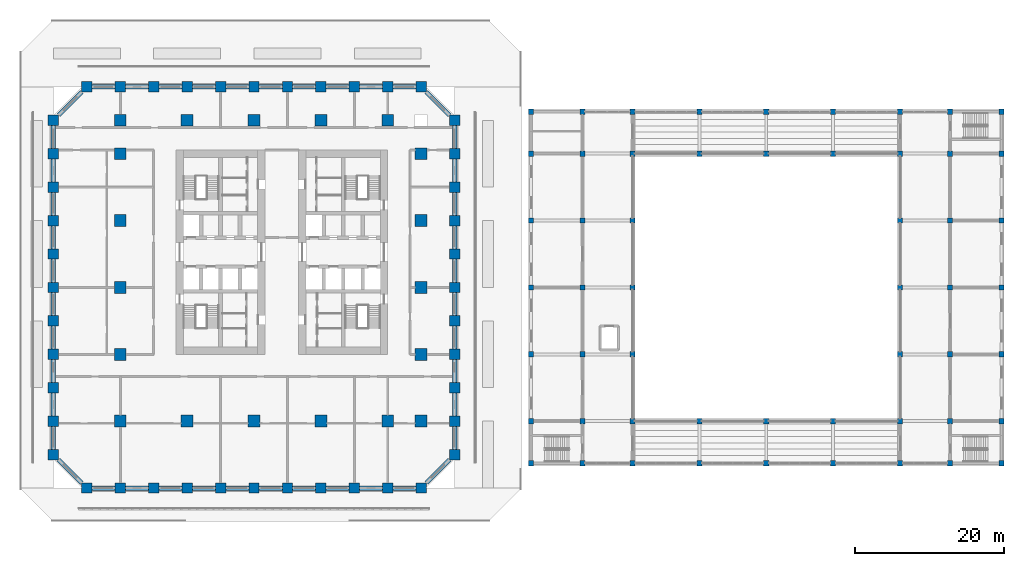
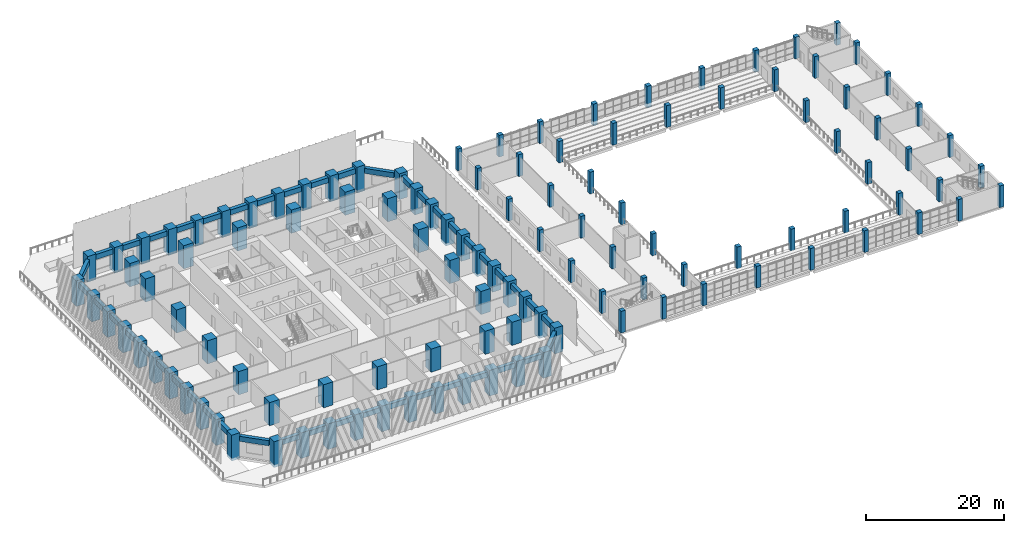
# One storey, part 1 of 36: 117 columns, 44 beams.
"""IFC4 building model written with IfcOpenShell, lengths in metres."""

import ifcopenshell
import ifcopenshell.guid

model = None  # the IFC model being written
_history = None  # IfcOwnerHistory: only IFC2X3 demands one
_inside = {}  # id of a spatial element -> (the spatial element, [elements in it])
_under = {}  # id of a project, library or spatial element -> (it, [spatial elements below it])
_declared = {}  # id of a project -> (the project, [libraries it declares])
_typed = {}  # id of a type object -> (the type object, [elements of that type])
_made_of = {}  # id of a material, layer set ... -> (it, [elements and type objects made of it])


def new_model(schema):
    """Start an empty IFC model of exactly this schema.

    Asked for "IFC4X3", IfcOpenShell would pick the latest addendum, in which some entities
    have other attributes; the version numbers below select the first issue.
    IFC2X3 requires an IfcOwnerHistory on every rooted entity: one is made here for all.
    """
    global model, _history
    if schema == "IFC4X3":
        model = ifcopenshell.file(schema_version=(4, 3, 0, 0))
    else:
        model = ifcopenshell.file(schema=schema)
    _inside.clear()
    _under.clear()
    _declared.clear()
    _typed.clear()
    _made_of.clear()
    _history = None
    if model.schema == "IFC2X3":
        org = make("IfcOrganization", Name="unknown")
        user = make(
            "IfcPersonAndOrganization",
            ThePerson=make("IfcPerson", FamilyName="unknown"),
            TheOrganization=org,
        )
        app = make(
            "IfcApplication",
            ApplicationDeveloper=org,
            Version="unknown",
            ApplicationFullName="unknown",
            ApplicationIdentifier="unknown",
        )
        _history = make(
            "IfcOwnerHistory",
            OwningUser=user,
            OwningApplication=app,
            ChangeAction="ADDED",
            CreationDate=0,
        )
    return model


def make(cls, **values):
    """One entity of the class cls with the attributes given. An attribute that is None is left unset."""
    return model.create_entity(
        cls, **{name: value for name, value in values.items() if value is not None}
    )


def rooted(cls, **values):
    """An entity with a GlobalId (a new one), such as an element, a storey or a relation."""
    return make(cls, GlobalId=ifcopenshell.guid.new(), OwnerHistory=_history, **values)


def si_unit(unit_type, name, prefix=None):
    """IfcSIUnit, for example si_unit("LENGTHUNIT", "METRE", prefix="MILLI")."""
    return make("IfcSIUnit", UnitType=unit_type, Prefix=prefix, Name=name)


def assignment(units):
    """IfcUnitAssignment: the units of a project."""
    return None if units is None else make("IfcUnitAssignment", Units=units)


def point(xyz):
    """IfcCartesianPoint."""
    return None if xyz is None else make("IfcCartesianPoint", Coordinates=xyz)


def direction(xyz):
    """IfcDirection."""
    return None if xyz is None else make("IfcDirection", DirectionRatios=xyz)


def frame(location, z_axis=None, x_axis=None):
    """IfcAxis2Placement3D, a coordinate frame: its origin and axes. An axis left out is left unset."""
    return make(
        "IfcAxis2Placement3D",
        Location=point(location),
        Axis=direction(z_axis),
        RefDirection=direction(x_axis),
    )


def frame_2d(location, x_axis=None):
    """IfcAxis2Placement2D, a coordinate frame in the plane: its origin and x axis."""
    return make(
        "IfcAxis2Placement2D", Location=point(location), RefDirection=direction(x_axis)
    )


def origin():
    """The frame at (0, 0, 0) with its axes left unset."""
    return frame((0.0, 0.0, 0.0))


def origin_2d():
    """The frame at (0, 0) in the plane with its x axis left unset."""
    return frame_2d((0.0, 0.0))


def place(relative_to, where):
    """IfcLocalPlacement: puts the frame where relative to a parent placement (None: the world)."""
    return make(
        "IfcLocalPlacement", PlacementRelTo=relative_to, RelativePlacement=where
    )


def context(
    kind, dimensions, precision=None, world=None, true_north=None, identifier=None
):
    """IfcGeometricRepresentationContext, for example the 3D "Model" context."""
    return make(
        "IfcGeometricRepresentationContext",
        ContextIdentifier=identifier,
        ContextType=kind,
        CoordinateSpaceDimension=dimensions,
        Precision=precision,
        WorldCoordinateSystem=world,
        TrueNorth=true_north,
    )


def subcontext(parent, identifier, kind, view, scale=None):
    """IfcGeometricRepresentationSubContext, for example "Body" below "Model"."""
    return make(
        "IfcGeometricRepresentationSubContext",
        ContextIdentifier=identifier,
        ContextType=kind,
        ParentContext=parent,
        TargetScale=scale,
        TargetView=view,
    )


def project(units=None, contexts=None):
    """IfcProject with its units and contexts."""
    return rooted(
        "IfcProject",
        Name="project",
        RepresentationContexts=contexts,
        UnitsInContext=assignment(units),
    )


def spatial(cls, under=None, at=None, **own):
    """A site, building, storey or space (cls), placed at a placement, below another one or the project."""
    s = rooted(cls, ObjectPlacement=at, **own)
    if under is not None:
        _under.setdefault(under.id(), (under, []))[1].append(s)
    return s


def profile(cls, at=None, kind="AREA", **sizes):
    """A parametric profile (cls). Its sizes go by their IFC names, for example OverallWidth=200.0."""
    return make(cls, ProfileType=kind, Position=at, **sizes)


def rectangle(**sizes):
    """IfcRectangleProfileDef."""
    return profile("IfcRectangleProfileDef", **sizes)


def extrude(swept, where, along, depth):
    """IfcExtrudedAreaSolid: the profile swept, set in the frame where, extruded along a direction by depth."""
    return make(
        "IfcExtrudedAreaSolid",
        SweptArea=swept,
        Position=where,
        ExtrudedDirection=direction(along),
        Depth=depth,
    )


def shape(context_of_items, identifier, shape_type, items):
    """IfcShapeRepresentation: the items that make up one representation, for example the "Body"."""
    return make(
        "IfcShapeRepresentation",
        ContextOfItems=context_of_items,
        RepresentationIdentifier=identifier,
        RepresentationType=shape_type,
        Items=items,
    )


def material(Name=None, Category=None):
    """IfcMaterial."""
    return make("IfcMaterial", Name=Name, Category=Category)


def material_profile(
    of_material, cross_section, Name=None, Category=None, Priority=None
):
    """IfcMaterialProfile: a cross section and its material."""
    return make(
        "IfcMaterialProfile",
        Name=Name,
        Material=of_material,
        Profile=cross_section,
        Priority=Priority,
        Category=Category,
    )


def profile_set(profiles, Name=None, composite=None):
    """IfcMaterialProfileSet."""
    return make(
        "IfcMaterialProfileSet",
        Name=Name,
        MaterialProfiles=profiles,
        CompositeProfile=composite,
    )


def made_of(thing, what):
    """Note that an element or type object is made of a material, layer set ...; save() writes the relation."""
    if what is not None:
        _made_of.setdefault(what.id(), (what, []))[1].append(thing)
    return thing


def type_object(cls, material=None, **own):
    """A type object (cls), such as IfcWallType, which elements share."""
    return made_of(rooted(cls, **own), material)


def element(
    cls,
    number,
    at=None,
    inside=None,
    cuts=None,
    type_object=None,
    material=None,
    context=None,
    identifier="Body",
    shape_type=None,
    held_by="IfcProductDefinitionShape",
    body=None,
    shapes=None,
    **own,
):
    """One element of the class cls, such as IfcWall. Its Tag is "e" and its number.

    at: its placement. inside: the storey or other place that contains it. cuts: it is an
    opening in that element (IfcRelVoidsElement). A single representation is given by context,
    identifier, shape_type and body (its items); several are given by shapes. held_by: the class
    of the entity that holds the representations. save() writes the other relations.
    """
    e = rooted(cls, Tag="e%d" % number, ObjectPlacement=at, **own)
    if body is not None:
        shapes = [shape(context, identifier, shape_type, body)]
    if shapes is not None:
        e.Representation = make(held_by, Representations=shapes)
    if inside is not None:
        _inside.setdefault(inside.id(), (inside, []))[1].append(e)
    if cuts is not None:
        rooted(
            "IfcRelVoidsElement", RelatingBuildingElement=cuts, RelatedOpeningElement=e
        )
    if type_object is not None:
        _typed.setdefault(type_object.id(), (type_object, []))[1].append(e)
    return made_of(e, material)


def aggregate(whole, parts):
    """IfcRelAggregates: a whole, such as a stair, and the parts it consists of."""
    return rooted("IfcRelAggregates", RelatingObject=whole, RelatedObjects=parts)


def save(model, path):
    """Write the relations noted so far, then the file.

    IfcRelAggregates (storeys below a building ...), IfcRelContainedInSpatialStructure (elements
    in a storey), IfcRelDefinesByType, IfcRelAssociatesMaterial and IfcRelDeclares: one each for
    every whole, place, type object, material and project.
    """
    for whole, parts in _under.values():
        aggregate(whole, parts)
    for where, things in _inside.values():
        rooted(
            "IfcRelContainedInSpatialStructure",
            RelatedElements=things,
            RelatingStructure=where,
        )
    for kind, things in _typed.values():
        rooted("IfcRelDefinesByType", RelatedObjects=things, RelatingType=kind)
    for what, things in _made_of.values():
        rooted("IfcRelAssociatesMaterial", RelatedObjects=things, RelatingMaterial=what)
    for by, libraries in _declared.values():
        rooted("IfcRelDeclares", RelatingContext=by, RelatedDefinitions=libraries)
    model.write(path)


model = new_model("IFC4")

# Units and contexts
model_context = context("Model", 3, precision=1e-05, world=origin(), true_north=direction((0.0, 1.0)))
body_context = subcontext(model_context, "Body", "Model", "MODEL_VIEW")
ifc_project = project(units=[si_unit("LENGTHUNIT", "METRE"), si_unit("AREAUNIT", "SQUARE_METRE"), si_unit("VOLUMEUNIT", "CUBIC_METRE"), si_unit("PLANEANGLEUNIT", "RADIAN"), si_unit("MASSUNIT", "GRAM", prefix="KILO")], contexts=[model_context])

# Site, building, storey
site_placement = place(None, origin())
site = spatial("IfcSite", under=ifc_project, at=site_placement, CompositionType="ELEMENT")
building_placement = place(site_placement, origin())
building = spatial("IfcBuilding", under=site, at=building_placement, Name="Corbel Stack Research Tower", CompositionType="ELEMENT")
storey_placement = place(building_placement, frame((0.0, 0.0, 7.199951171875)))
storey = spatial("IfcBuildingStorey", under=building, at=storey_placement, Name="L01", CompositionType="ELEMENT", Elevation=7.199951171875)

# Columns
ifc_material_1 = material(Name="Concrete C70/85", Category="concrete")
ifc_material_profile_1 = material_profile(ifc_material_1, rectangle(XDim=1.39990234375, YDim=1.39990234375, at=origin_2d()), Name="RC 1400 x 1400")
ifc_profile_set_1 = profile_set([ifc_material_profile_1], Name="Concrete C70/85")
column_type_1 = type_object("IfcColumnType", Name="C-1400-70", PredefinedType="COLUMN", material=ifc_profile_set_1)
for number, where, z_axis, x_axis, name in (
    (1, (-27.0, -22.5, -0.449951171875), (0.0, 0.0, 1.0), (1.0, 0.0, 0.0), "Column 2/C L01"),
    (2, (-27.0, -18.0, -0.449951171875), (0.0, 0.0, 1.0), (1.0, 0.0, 0.0), "Column 2/D L01"),
    (3, (-27.0, -13.5, -0.449951171875), (0.0, 0.0, 1.0), (1.0, 0.0, 0.0), "Column 2/E L01"),
    (4, (-27.0, -9.0, -0.449951171875), (0.0, 0.0, 1.0), (1.0, 0.0, 0.0), "Column 2/F L01"),
    (5, (-27.0, -4.5, -0.449951171875), (0.0, 0.0, 1.0), (1.0, 0.0, 0.0), "Column 2/G L01"),
    (6, (-27.0, 0.0, -0.449951171875), (0.0, 0.0, 1.0), (1.0, 0.0, 0.0), "Column 2/H L01"),
    (7, (-27.0, 4.5, -0.449951171875), (0.0, 0.0, 1.0), (1.0, 0.0, 0.0), "Column 2/J L01"),
    (8, (-27.0, 9.0, -0.449951171875), (0.0, 0.0, 1.0), (1.0, 0.0, 0.0), "Column 2/K L01"),
    (9, (-27.0, 13.5, -0.449951171875), (0.0, 0.0, 1.0), (1.0, 0.0, 0.0), "Column 2/L L01"),
    (10, (-27.0, 18.0, -0.449951171875), (0.0, 0.0, 1.0), (1.0, 0.0, 0.0), "Column 2/M L01"),
    (11, (-27.0, 22.5, -0.449951171875), (0.0, 0.0, 1.0), (1.0, 0.0, 0.0), "Column 2/N L01"),
    (12, (-22.5, -27.0, -0.449951171875), (0.0, 0.0, 1.0), (1.0, 0.0, 0.0), "Column 3/B L01"),
    (13, (-22.5, 27.0, -0.449951171875), (0.0, 0.0, 1.0), (1.0, 0.0, 0.0), "Column 3/P L01"),
    (14, (-18.0, -27.0, -0.449951171875), (0.0, 0.0, 1.0), (1.0, 0.0, 0.0), "Column 4/B L01"),
    (15, (-18.0, 27.0, -0.449951171875), (0.0, 0.0, 1.0), (1.0, 0.0, 0.0), "Column 4/P L01"),
    (16, (-13.5, -27.0, -0.449951171875), (0.0, 0.0, 1.0), (1.0, 0.0, 0.0), "Column 5/B L01"),
    (17, (-13.5, 27.0, -0.449951171875), (0.0, 0.0, 1.0), (1.0, 0.0, 0.0), "Column 5/P L01"),
    (18, (-9.0, -27.0, -0.449951171875), (0.0, 0.0, 1.0), (1.0, 0.0, 0.0), "Column 6/B L01"),
    (19, (-9.0, 27.0, -0.449951171875), (0.0, 0.0, 1.0), (1.0, 0.0, 0.0), "Column 6/P L01"),
    (20, (-4.5, -27.0, -0.449951171875), (0.0, 0.0, 1.0), (1.0, 0.0, 0.0), "Column 7/B L01"),
    (21, (-4.5, 27.0, -0.449951171875), (0.0, 0.0, 1.0), (1.0, 0.0, 0.0), "Column 7/P L01"),
    (22, (0.0, -27.0, -0.449951171875), (0.0, 0.0, 1.0), (1.0, 0.0, 0.0), "Column 8/B L01"),
    (23, (0.0, 27.0, -0.449951171875), (0.0, 0.0, 1.0), (1.0, 0.0, 0.0), "Column 8/P L01"),
    (24, (4.5, -27.0, -0.449951171875), (0.0, 0.0, 1.0), (1.0, 0.0, 0.0), "Column 9/B L01"),
    (25, (4.5, 27.0, -0.449951171875), (0.0, 0.0, 1.0), (1.0, 0.0, 0.0), "Column 9/P L01"),
    (26, (9.0, -27.0, -0.449951171875), (0.0, 0.0, 1.0), (1.0, 0.0, 0.0), "Column 10/B L01"),
    (27, (9.0, 27.0, -0.449951171875), (0.0, 0.0, 1.0), (1.0, 0.0, 0.0), "Column 10/P L01"),
    (28, (13.5, -27.0, -0.449951171875), (0.0, 0.0, 1.0), (1.0, 0.0, 0.0), "Column 11/B L01"),
    (29, (13.5, 27.0, -0.449951171875), (0.0, 0.0, 1.0), (1.0, 0.0, 0.0), "Column 11/P L01"),
    (30, (18.0, -27.0, -0.449951171875), (0.0, 0.0, 1.0), (1.0, 0.0, 0.0), "Column 12/B L01"),
    (31, (18.0, 27.0, -0.449951171875), (0.0, 0.0, 1.0), (1.0, 0.0, 0.0), "Column 12/P L01"),
    (32, (22.5, -27.0, -0.449951171875), (0.0, 0.0, 1.0), (1.0, 0.0, 0.0), "Column 13/B L01"),
    (33, (22.5, 27.0, -0.449951171875), (0.0, 0.0, 1.0), (1.0, 0.0, 0.0), "Column 13/P L01"),
    (34, (27.0, -22.5, -0.449951171875), (0.0, 0.0, 1.0), (1.0, 0.0, 0.0), "Column 14/C L01"),
    (35, (27.0, -18.0, -0.449951171875), (0.0, 0.0, 1.0), (1.0, 0.0, 0.0), "Column 14/D L01"),
    (36, (27.0, -13.5, -0.449951171875), (0.0, 0.0, 1.0), (1.0, 0.0, 0.0), "Column 14/E L01"),
    (37, (27.0, -9.0, -0.449951171875), (0.0, 0.0, 1.0), (1.0, 0.0, 0.0), "Column 14/F L01"),
    (38, (27.0, -4.5, -0.449951171875), (0.0, 0.0, 1.0), (1.0, 0.0, 0.0), "Column 14/G L01"),
    (39, (27.0, 0.0, -0.449951171875), (0.0, 0.0, 1.0), (1.0, 0.0, 0.0), "Column 14/H L01"),
    (40, (27.0, 4.5, -0.449951171875), (0.0, 0.0, 1.0), (1.0, 0.0, 0.0), "Column 14/J L01"),
    (41, (27.0, 9.0, -0.449951171875), (0.0, 0.0, 1.0), (1.0, 0.0, 0.0), "Column 14/K L01"),
    (42, (27.0, 13.5, -0.449951171875), (0.0, 0.0, 1.0), (1.0, 0.0, 0.0), "Column 14/L L01"),
    (43, (27.0, 18.0, -0.449951171875), (0.0, 0.0, 1.0), (1.0, 0.0, 0.0), "Column 14/M L01"),
    (44, (27.0, 22.5, -0.449951171875), (0.0, 0.0, 1.0), (1.0, 0.0, 0.0), "Column 14/N L01"),
):
    element("IfcColumn", number, at=place(storey_placement, frame(where, z_axis=z_axis, x_axis=x_axis)), inside=storey, type_object=column_type_1, Name=name, PredefinedType="COLUMN", context=body_context, shape_type="SweptSolid", body=[
        extrude(rectangle(XDim=1.39990234375, YDim=1.39990234375, at=origin_2d()), origin(), (0.0, 0.0, 1.0), 4.550048828125),
    ])
ifc_material_2 = material(Name="Concrete C70/85", Category="concrete")
ifc_material_profile_2 = material_profile(ifc_material_2, rectangle(XDim=1.60009765625, YDim=1.60009765625, at=origin_2d()), Name="RC 1600 x 1600")
ifc_profile_set_2 = profile_set([ifc_material_profile_2], Name="Concrete C70/85")
column_type_2 = type_object("IfcColumnType", Name="C-1600-70", PredefinedType="COLUMN", material=ifc_profile_set_2)
for number, where, z_axis, x_axis, name in (
    (45, (-18.0, -18.0, 0.0), (0.0, 0.0, 1.0), (1.0, 0.0, 0.0), "Column 4/D L01"),
    (46, (-18.0, -9.0, 0.0), (0.0, 0.0, 1.0), (1.0, 0.0, 0.0), "Column 4/F L01"),
    (47, (-18.0, 0.0, 0.0), (0.0, 0.0, 1.0), (1.0, 0.0, 0.0), "Column 4/H L01"),
    (48, (-18.0, 9.0, 0.0), (0.0, 0.0, 1.0), (1.0, 0.0, 0.0), "Column 4/K L01"),
    (49, (-18.0, 18.0, 0.0), (0.0, 0.0, 1.0), (1.0, 0.0, 0.0), "Column 4/M L01"),
    (50, (-18.0, 22.5, 0.0), (0.0, 0.0, 1.0), (1.0, 0.0, 0.0), "Column 4/N L01"),
    (51, (-9.0, -18.0, 0.0), (0.0, 0.0, 1.0), (1.0, 0.0, 0.0), "Column 6/D L01"),
    (52, (-9.0, 22.5, 0.0), (0.0, 0.0, 1.0), (1.0, 0.0, 0.0), "Column 6/N L01"),
    (53, (0.0, -18.0, 0.0), (0.0, 0.0, 1.0), (1.0, 0.0, 0.0), "Column 8/D L01"),
    (54, (0.0, 22.5, 0.0), (0.0, 0.0, 1.0), (1.0, 0.0, 0.0), "Column 8/N L01"),
    (55, (9.0, -18.0, 0.0), (0.0, 0.0, 1.0), (1.0, 0.0, 0.0), "Column 10/D L01"),
    (56, (9.0, 22.5, 0.0), (0.0, 0.0, 1.0), (1.0, 0.0, 0.0), "Column 10/N L01"),
    (57, (18.0, -18.0, 0.0), (0.0, 0.0, 1.0), (1.0, 0.0, 0.0), "Column 12/D L01"),
    (58, (18.0, 22.5, 0.0), (0.0, 0.0, 1.0), (1.0, 0.0, 0.0), "Column 12/N L01"),
    (59, (22.5, -18.0, 0.0), (0.0, 0.0, 1.0), (1.0, 0.0, 0.0), "Column 13/D L01"),
    (60, (22.5, -9.0, 0.0), (0.0, 0.0, 1.0), (1.0, 0.0, 0.0), "Column 13/F L01"),
    (61, (22.5, 0.0, 0.0), (0.0, 0.0, 1.0), (1.0, 0.0, 0.0), "Column 13/H L01"),
    (62, (22.5, 9.0, 0.0), (0.0, 0.0, 1.0), (1.0, 0.0, 0.0), "Column 13/K L01"),
    (63, (22.5, 18.0, 0.0), (0.0, 0.0, 1.0), (1.0, 0.0, 0.0), "Column 13/M L01"),
):
    element("IfcColumn", number, at=place(storey_placement, frame(where, z_axis=z_axis, x_axis=x_axis)), inside=storey, type_object=column_type_2, Name=name, PredefinedType="COLUMN", context=body_context, shape_type="SweptSolid", body=[
        extrude(rectangle(XDim=1.60009765625, YDim=1.60009765625, at=origin_2d()), origin(), (0.0, 0.0, 1.0), 4.10009765625),
    ])
ifc_material_3 = material(Name="Concrete C50/60", Category="concrete")
ifc_material_profile_3 = material_profile(ifc_material_3, rectangle(XDim=0.699951171875, YDim=0.699951171875, at=origin_2d()), Name="RC 700 x 700")
ifc_profile_set_3 = profile_set([ifc_material_profile_3], Name="Concrete C50/60")
column_type_3 = type_object("IfcColumnType", Name="HC1 RC column 700 x 700", PredefinedType="COLUMN", material=ifc_profile_set_3)
for number, where, z_axis, x_axis, name in (
    (64, (37.300048828125, -23.64990234375, 0.0), (0.0, 0.0, 1.0), (1.0, 0.0, 0.0), "Column H1/HA L01"),
    (65, (37.300048828125, -18.0, 0.0), (0.0, 0.0, 1.0), (1.0, 0.0, 0.0), "Column H1/HB L01"),
    (66, (37.300048828125, -9.0, 0.0), (0.0, 0.0, 1.0), (1.0, 0.0, 0.0), "Column H1/HC L01"),
    (67, (37.300048828125, 0.0, 0.0), (0.0, 0.0, 1.0), (1.0, 0.0, 0.0), "Column H1/HD L01"),
    (68, (37.300048828125, 9.0, 0.0), (0.0, 0.0, 1.0), (1.0, 0.0, 0.0), "Column H1/HE L01"),
    (69, (37.300048828125, 18.0, 0.0), (0.0, 0.0, 1.0), (1.0, 0.0, 0.0), "Column H1/HF L01"),
    (70, (37.300048828125, 23.64990234375, 0.0), (0.0, 0.0, 1.0), (1.0, 0.0, 0.0), "Column H1/HG L01"),
    (71, (44.199951171875, -23.64990234375, 0.0), (0.0, 0.0, 1.0), (1.0, 0.0, 0.0), "Column H2/HA L01"),
    (72, (44.199951171875, -18.0, 0.0), (0.0, 0.0, 1.0), (1.0, 0.0, 0.0), "Column H2/HB L01"),
    (73, (44.199951171875, -9.0, 0.0), (0.0, 0.0, 1.0), (1.0, 0.0, 0.0), "Column H2/HC L01"),
    (74, (44.199951171875, 0.0, 0.0), (0.0, 0.0, 1.0), (1.0, 0.0, 0.0), "Column H2/HD L01"),
    (75, (44.199951171875, 9.0, 0.0), (0.0, 0.0, 1.0), (1.0, 0.0, 0.0), "Column H2/HE L01"),
    (76, (44.199951171875, 18.0, 0.0), (0.0, 0.0, 1.0), (1.0, 0.0, 0.0), "Column H2/HF L01"),
    (77, (44.199951171875, 23.64990234375, 0.0), (0.0, 0.0, 1.0), (1.0, 0.0, 0.0), "Column H2/HG L01"),
    (78, (50.949951171875, -23.64990234375, 0.0), (0.0, 0.0, 1.0), (1.0, 0.0, 0.0), "Column H3/HA L01"),
    (79, (50.949951171875, -18.0, 0.0), (0.0, 0.0, 1.0), (1.0, 0.0, 0.0), "Column H3/HB L01"),
    (80, (50.949951171875, -9.0, 0.0), (0.0, 0.0, 1.0), (1.0, 0.0, 0.0), "Column H3/HC L01"),
    (81, (50.949951171875, 0.0, 0.0), (0.0, 0.0, 1.0), (1.0, 0.0, 0.0), "Column H3/HD L01"),
    (82, (50.949951171875, 9.0, 0.0), (0.0, 0.0, 1.0), (1.0, 0.0, 0.0), "Column H3/HE L01"),
    (83, (50.949951171875, 18.0, 0.0), (0.0, 0.0, 1.0), (1.0, 0.0, 0.0), "Column H3/HF L01"),
    (84, (50.949951171875, 23.64990234375, 0.0), (0.0, 0.0, 1.0), (1.0, 0.0, 0.0), "Column H3/HG L01"),
    (85, (59.949951171875, -23.64990234375, 0.0), (0.0, 0.0, 1.0), (1.0, 0.0, 0.0), "Column H4/HA L01"),
    (86, (59.949951171875, -18.0, 0.0), (0.0, 0.0, 1.0), (1.0, 0.0, 0.0), "Column H4/HB L01"),
    (87, (59.949951171875, 18.0, 0.0), (0.0, 0.0, 1.0), (1.0, 0.0, 0.0), "Column H4/HF L01"),
    (88, (59.949951171875, 23.64990234375, 0.0), (0.0, 0.0, 1.0), (1.0, 0.0, 0.0), "Column H4/HG L01"),
    (89, (68.949951171875, -23.64990234375, 0.0), (0.0, 0.0, 1.0), (1.0, 0.0, 0.0), "Column H5/HA L01"),
    (90, (68.949951171875, -18.0, 0.0), (0.0, 0.0, 1.0), (1.0, 0.0, 0.0), "Column H5/HB L01"),
    (91, (68.949951171875, 18.0, 0.0), (0.0, 0.0, 1.0), (1.0, 0.0, 0.0), "Column H5/HF L01"),
    (92, (68.949951171875, 23.64990234375, 0.0), (0.0, 0.0, 1.0), (1.0, 0.0, 0.0), "Column H5/HG L01"),
    (93, (77.949951171875, -23.64990234375, 0.0), (0.0, 0.0, 1.0), (1.0, 0.0, 0.0), "Column H6/HA L01"),
    (94, (77.949951171875, -18.0, 0.0), (0.0, 0.0, 1.0), (1.0, 0.0, 0.0), "Column H6/HB L01"),
    (95, (77.949951171875, 18.0, 0.0), (0.0, 0.0, 1.0), (1.0, 0.0, 0.0), "Column H6/HF L01"),
    (96, (77.949951171875, 23.64990234375, 0.0), (0.0, 0.0, 1.0), (1.0, 0.0, 0.0), "Column H6/HG L01"),
    (97, (86.949951171875, -23.64990234375, 0.0), (0.0, 0.0, 1.0), (1.0, 0.0, 0.0), "Column H7/HA L01"),
    (98, (86.949951171875, -18.0, 0.0), (0.0, 0.0, 1.0), (1.0, 0.0, 0.0), "Column H7/HB L01"),
    (99, (86.949951171875, -9.0, 0.0), (0.0, 0.0, 1.0), (1.0, 0.0, 0.0), "Column H7/HC L01"),
    (100, (86.949951171875, 0.0, 0.0), (0.0, 0.0, 1.0), (1.0, 0.0, 0.0), "Column H7/HD L01"),
    (101, (86.949951171875, 9.0, 0.0), (0.0, 0.0, 1.0), (1.0, 0.0, 0.0), "Column H7/HE L01"),
    (102, (86.949951171875, 18.0, 0.0), (0.0, 0.0, 1.0), (1.0, 0.0, 0.0), "Column H7/HF L01"),
    (103, (86.949951171875, 23.64990234375, 0.0), (0.0, 0.0, 1.0), (1.0, 0.0, 0.0), "Column H7/HG L01"),
    (104, (93.699951171875, -23.64990234375, 0.0), (0.0, 0.0, 1.0), (1.0, 0.0, 0.0), "Column H8/HA L01"),
    (105, (93.699951171875, -18.0, 0.0), (0.0, 0.0, 1.0), (1.0, 0.0, 0.0), "Column H8/HB L01"),
    (106, (93.699951171875, -9.0, 0.0), (0.0, 0.0, 1.0), (1.0, 0.0, 0.0), "Column H8/HC L01"),
    (107, (93.699951171875, 0.0, 0.0), (0.0, 0.0, 1.0), (1.0, 0.0, 0.0), "Column H8/HD L01"),
    (108, (93.699951171875, 9.0, 0.0), (0.0, 0.0, 1.0), (1.0, 0.0, 0.0), "Column H8/HE L01"),
    (109, (93.699951171875, 18.0, 0.0), (0.0, 0.0, 1.0), (1.0, 0.0, 0.0), "Column H8/HF L01"),
    (110, (93.699951171875, 23.64990234375, 0.0), (0.0, 0.0, 1.0), (1.0, 0.0, 0.0), "Column H8/HG L01"),
    (111, (100.60009765625, -23.64990234375, 0.0), (0.0, 0.0, 1.0), (1.0, 0.0, 0.0), "Column H9/HA L01"),
    (112, (100.60009765625, -18.0, 0.0), (0.0, 0.0, 1.0), (1.0, 0.0, 0.0), "Column H9/HB L01"),
    (113, (100.60009765625, -9.0, 0.0), (0.0, 0.0, 1.0), (1.0, 0.0, 0.0), "Column H9/HC L01"),
    (114, (100.60009765625, 0.0, 0.0), (0.0, 0.0, 1.0), (1.0, 0.0, 0.0), "Column H9/HD L01"),
    (115, (100.60009765625, 9.0, 0.0), (0.0, 0.0, 1.0), (1.0, 0.0, 0.0), "Column H9/HE L01"),
    (116, (100.60009765625, 18.0, 0.0), (0.0, 0.0, 1.0), (1.0, 0.0, 0.0), "Column H9/HF L01"),
    (117, (100.60009765625, 23.64990234375, 0.0), (0.0, 0.0, 1.0), (1.0, 0.0, 0.0), "Column H9/HG L01"),
):
    element("IfcColumn", number, at=place(storey_placement, frame(where, z_axis=z_axis, x_axis=x_axis)), inside=storey, type_object=column_type_3, Name=name, PredefinedType="COLUMN", context=body_context, shape_type="SweptSolid", body=[
        extrude(rectangle(XDim=0.699951171875, YDim=0.699951171875, at=origin_2d()), origin(), (0.0, 0.0, 1.0), 3.85009765625),
    ])

# Beams
ifc_material_4 = material(Name="Concrete C60/75", Category="concrete")
ifc_material_profile_4 = material_profile(ifc_material_4, rectangle(XDim=0.60009765625, YDim=0.89990234375, at=origin_2d()), Name="RC 600 x 900")
ifc_profile_set_4 = profile_set([ifc_material_profile_4], Name="Concrete C60/75")
beam_type = type_object("IfcBeamType", Name="SB-600-900-450", PredefinedType="SPANDREL", material=ifc_profile_set_4)
for number, where, z_axis, x_axis, name in (
    (118, (-21.800048828125, -27.0, 3.199951171875), (1.0, 0.0, 0.0), (0.0, 1.0, 0.0), "Spandrel beam L01-01"),
    (119, (-17.300048828125, -27.0, 3.199951171875), (1.0, 0.0, 0.0), (0.0, 1.0, 0.0), "Spandrel beam L01-02"),
    (120, (-12.800048828125, -27.0, 3.199951171875), (1.0, 0.0, 0.0), (0.0, 1.0, 0.0), "Spandrel beam L01-03"),
    (121, (-8.300048828125, -27.0, 3.199951171875), (1.0, 0.0, 0.0), (0.0, 1.0, 0.0), "Spandrel beam L01-04"),
    (122, (-3.800048828125, -27.0, 3.199951171875), (1.0, 0.0, 0.0), (0.0, 1.0, 0.0), "Spandrel beam L01-05"),
    (123, (0.699951171875, -27.0, 3.199951171875), (1.0, 0.0, 0.0), (0.0, 1.0, 0.0), "Spandrel beam L01-06"),
    (124, (5.199951171875, -27.0, 3.199951171875), (1.0, 0.0, 0.0), (0.0, 1.0, 0.0), "Spandrel beam L01-07"),
    (125, (9.699951171875, -27.0, 3.199951171875), (1.0, 0.0, 0.0), (0.0, 1.0, 0.0), "Spandrel beam L01-08"),
    (126, (14.199951171875, -27.0, 3.199951171875), (1.0, 0.0, 0.0), (0.0, 1.0, 0.0), "Spandrel beam L01-09"),
    (127, (18.699951171875, -27.0, 3.199951171875), (1.0, 0.0, 0.0), (0.0, 1.0, 0.0), "Spandrel beam L01-10"),
):
    element("IfcBeam", number, at=place(storey_placement, frame(where, z_axis=z_axis, x_axis=x_axis)), inside=storey, type_object=beam_type, Name=name, PredefinedType="SPANDREL", context=body_context, shape_type="SweptSolid", body=[
        extrude(rectangle(XDim=0.60009765625, YDim=0.89990234375, at=origin_2d()), origin(), (0.0, 0.0, 1.0), 3.10009765625),
    ])
beam_1_placement = place(storey_placement, frame((23.199951171875, -26.300048828125, 3.199951171875), z_axis=(0.707106781187, 0.707106781187, 0.0), x_axis=(-0.707106781187, 0.707106781187, 0.0)))
element("IfcBeam", 128, at=beam_1_placement, inside=storey, type_object=beam_type, Name="Spandrel beam L01-11", PredefinedType="SPANDREL", context=body_context, shape_type="SweptSolid", body=[
    extrude(rectangle(XDim=0.60009765625, YDim=0.89990234375, at=origin_2d()), origin(), (0.0, 0.0, 1.0), 4.38427734375),
])
for number, where, z_axis, x_axis, name in (
    (129, (27.0, -21.800048828125, 3.199951171875), (0.0, 1.0, 0.0), (-1.0, 0.0, 0.0), "Spandrel beam L01-12"),
    (130, (27.0, -17.300048828125, 3.199951171875), (0.0, 1.0, 0.0), (-1.0, 0.0, 0.0), "Spandrel beam L01-13"),
    (131, (27.0, -12.800048828125, 3.199951171875), (0.0, 1.0, 0.0), (-1.0, 0.0, 0.0), "Spandrel beam L01-14"),
    (132, (27.0, -8.300048828125, 3.199951171875), (0.0, 1.0, 0.0), (-1.0, 0.0, 0.0), "Spandrel beam L01-15"),
    (133, (27.0, -3.800048828125, 3.199951171875), (0.0, 1.0, 0.0), (-1.0, 0.0, 0.0), "Spandrel beam L01-16"),
    (134, (27.0, 0.699951171875, 3.199951171875), (0.0, 1.0, 0.0), (-1.0, 0.0, 0.0), "Spandrel beam L01-17"),
    (135, (27.0, 5.199951171875, 3.199951171875), (0.0, 1.0, 0.0), (-1.0, 0.0, 0.0), "Spandrel beam L01-18"),
    (136, (27.0, 9.699951171875, 3.199951171875), (0.0, 1.0, 0.0), (-1.0, 0.0, 0.0), "Spandrel beam L01-19"),
    (137, (27.0, 14.199951171875, 3.199951171875), (0.0, 1.0, 0.0), (-1.0, 0.0, 0.0), "Spandrel beam L01-20"),
    (138, (27.0, 18.699951171875, 3.199951171875), (0.0, 1.0, 0.0), (-1.0, 0.0, 0.0), "Spandrel beam L01-21"),
):
    element("IfcBeam", number, at=place(storey_placement, frame(where, z_axis=z_axis, x_axis=x_axis)), inside=storey, type_object=beam_type, Name=name, PredefinedType="SPANDREL", context=body_context, shape_type="SweptSolid", body=[
        extrude(rectangle(XDim=0.60009765625, YDim=0.89990234375, at=origin_2d()), origin(), (0.0, 0.0, 1.0), 3.10009765625),
    ])
beam_2_placement = place(storey_placement, frame((26.300048828125, 23.199951171875, 3.199951171875), z_axis=(-0.707106781187, 0.707106781187, 0.0), x_axis=(-0.707106781187, -0.707106781187, 0.0)))
element("IfcBeam", 139, at=beam_2_placement, inside=storey, type_object=beam_type, Name="Spandrel beam L01-22", PredefinedType="SPANDREL", context=body_context, shape_type="SweptSolid", body=[
    extrude(rectangle(XDim=0.60009765625, YDim=0.89990234375, at=origin_2d()), origin(), (0.0, 0.0, 1.0), 4.38427734375),
])
for number, where, z_axis, x_axis, name in (
    (140, (21.800048828125, 27.0, 3.199951171875), (-1.0, 0.0, 0.0), (0.0, -1.0, 0.0), "Spandrel beam L01-23"),
    (141, (17.300048828125, 27.0, 3.199951171875), (-1.0, 0.0, 0.0), (0.0, -1.0, 0.0), "Spandrel beam L01-24"),
    (142, (12.800048828125, 27.0, 3.199951171875), (-1.0, 0.0, 0.0), (0.0, -1.0, 0.0), "Spandrel beam L01-25"),
    (143, (8.300048828125, 27.0, 3.199951171875), (-1.0, 0.0, 0.0), (0.0, -1.0, 0.0), "Spandrel beam L01-26"),
    (144, (3.800048828125, 27.0, 3.199951171875), (-1.0, 0.0, 0.0), (0.0, -1.0, 0.0), "Spandrel beam L01-27"),
    (145, (-0.699951171875, 27.0, 3.199951171875), (-1.0, 0.0, 0.0), (0.0, -1.0, 0.0), "Spandrel beam L01-28"),
    (146, (-5.199951171875, 27.0, 3.199951171875), (-1.0, 0.0, 0.0), (0.0, -1.0, 0.0), "Spandrel beam L01-29"),
    (147, (-9.699951171875, 27.0, 3.199951171875), (-1.0, 0.0, 0.0), (0.0, -1.0, 0.0), "Spandrel beam L01-30"),
    (148, (-14.199951171875, 27.0, 3.199951171875), (-1.0, 0.0, 0.0), (0.0, -1.0, 0.0), "Spandrel beam L01-31"),
    (149, (-18.699951171875, 27.0, 3.199951171875), (-1.0, 0.0, 0.0), (0.0, -1.0, 0.0), "Spandrel beam L01-32"),
):
    element("IfcBeam", number, at=place(storey_placement, frame(where, z_axis=z_axis, x_axis=x_axis)), inside=storey, type_object=beam_type, Name=name, PredefinedType="SPANDREL", context=body_context, shape_type="SweptSolid", body=[
        extrude(rectangle(XDim=0.60009765625, YDim=0.89990234375, at=origin_2d()), origin(), (0.0, 0.0, 1.0), 3.10009765625),
    ])
beam_3_placement = place(storey_placement, frame((-23.199951171875, 26.300048828125, 3.199951171875), z_axis=(-0.707106781187, -0.707106781187, 0.0), x_axis=(0.707106781187, -0.707106781187, 0.0)))
element("IfcBeam", 150, at=beam_3_placement, inside=storey, type_object=beam_type, Name="Spandrel beam L01-33", PredefinedType="SPANDREL", context=body_context, shape_type="SweptSolid", body=[
    extrude(rectangle(XDim=0.60009765625, YDim=0.89990234375, at=origin_2d()), origin(), (0.0, 0.0, 1.0), 4.38427734375),
])
for number, where, z_axis, x_axis, name in (
    (151, (-27.0, 21.800048828125, 3.199951171875), (0.0, -1.0, 0.0), (1.0, 0.0, 0.0), "Spandrel beam L01-34"),
    (152, (-27.0, 17.300048828125, 3.199951171875), (0.0, -1.0, 0.0), (1.0, 0.0, 0.0), "Spandrel beam L01-35"),
    (153, (-27.0, 12.800048828125, 3.199951171875), (0.0, -1.0, 0.0), (1.0, 0.0, 0.0), "Spandrel beam L01-36"),
    (154, (-27.0, 8.300048828125, 3.199951171875), (0.0, -1.0, 0.0), (1.0, 0.0, 0.0), "Spandrel beam L01-37"),
    (155, (-27.0, 3.800048828125, 3.199951171875), (0.0, -1.0, 0.0), (1.0, 0.0, 0.0), "Spandrel beam L01-38"),
    (156, (-27.0, -0.699951171875, 3.199951171875), (0.0, -1.0, 0.0), (1.0, 0.0, 0.0), "Spandrel beam L01-39"),
    (157, (-27.0, -5.199951171875, 3.199951171875), (0.0, -1.0, 0.0), (1.0, 0.0, 0.0), "Spandrel beam L01-40"),
    (158, (-27.0, -9.699951171875, 3.199951171875), (0.0, -1.0, 0.0), (1.0, 0.0, 0.0), "Spandrel beam L01-41"),
    (159, (-27.0, -14.199951171875, 3.199951171875), (0.0, -1.0, 0.0), (1.0, 0.0, 0.0), "Spandrel beam L01-42"),
    (160, (-27.0, -18.699951171875, 3.199951171875), (0.0, -1.0, 0.0), (1.0, 0.0, 0.0), "Spandrel beam L01-43"),
):
    element("IfcBeam", number, at=place(storey_placement, frame(where, z_axis=z_axis, x_axis=x_axis)), inside=storey, type_object=beam_type, Name=name, PredefinedType="SPANDREL", context=body_context, shape_type="SweptSolid", body=[
        extrude(rectangle(XDim=0.60009765625, YDim=0.89990234375, at=origin_2d()), origin(), (0.0, 0.0, 1.0), 3.10009765625),
    ])
beam_4_placement = place(storey_placement, frame((-26.300048828125, -23.199951171875, 3.199951171875), z_axis=(0.707106781187, -0.707106781187, 0.0), x_axis=(0.707106781187, 0.707106781187, 0.0)))
element("IfcBeam", 161, at=beam_4_placement, inside=storey, type_object=beam_type, Name="Spandrel beam L01-44", PredefinedType="SPANDREL", context=body_context, shape_type="SweptSolid", body=[
    extrude(rectangle(XDim=0.60009765625, YDim=0.89990234375, at=origin_2d()), origin(), (0.0, 0.0, 1.0), 4.38427734375),
])

save(model, "model.ifc")
